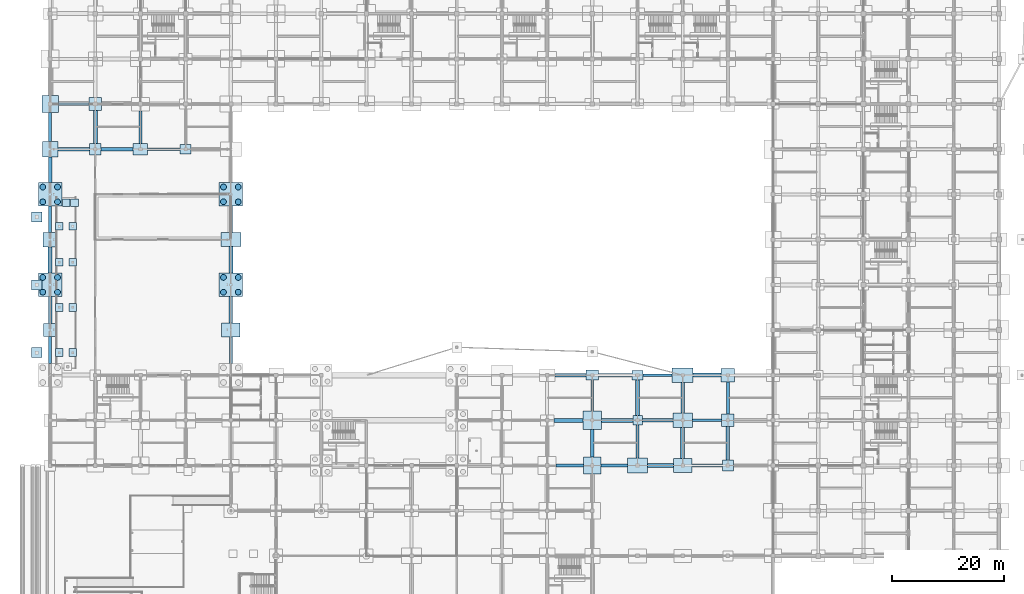
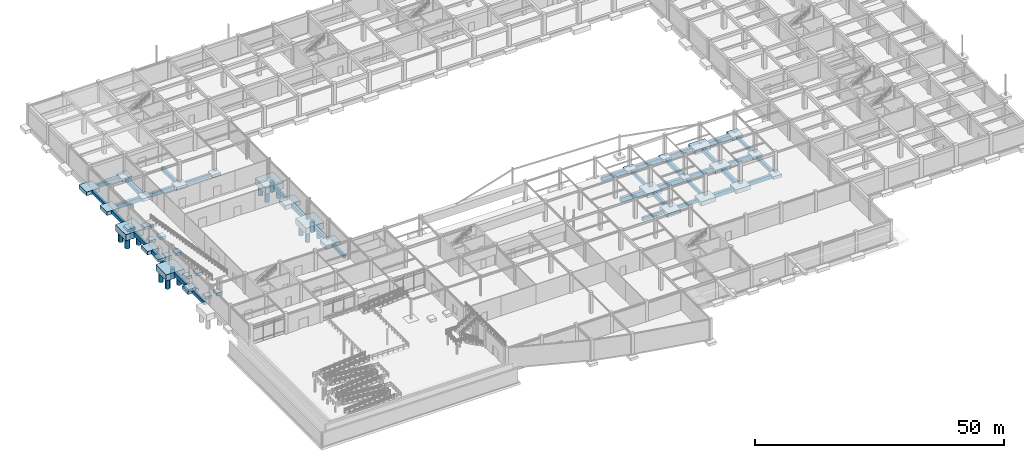
# One storey, part 4 of 67: 75 footings, 16 piles.
"""IFC4 building model written with IfcOpenShell, lengths in metres."""

from ifc_helpers import new_model, si_unit, direction, frame, origin, origin_2d, place, context, subcontext, project, spatial, rectangle, circle, extrude, material, material_profile, profile_set, type_object, element, save


model = new_model("IFC4")

# Units and contexts
model_context = context("Model", 3, precision=1e-05, world=origin(), true_north=direction((0.0, 1.0)))
body_context = subcontext(model_context, "Body", "Model", "MODEL_VIEW")
ifc_project = project(units=[si_unit("LENGTHUNIT", "METRE"), si_unit("AREAUNIT", "SQUARE_METRE"), si_unit("VOLUMEUNIT", "CUBIC_METRE"), si_unit("PLANEANGLEUNIT", "RADIAN"), si_unit("MASSUNIT", "GRAM", prefix="KILO")], contexts=[model_context])

# Site, building, storey
site_placement = place(None, origin())
site = spatial("IfcSite", under=ifc_project, at=site_placement, CompositionType="ELEMENT")
building_placement = place(site_placement, origin())
building = spatial("IfcBuilding", under=site, at=building_placement, Name="Vaudrelin Polytechnic", CompositionType="ELEMENT")
storey_placement = place(building_placement, frame((0.0, 0.0, -5.10009765625)))
storey = spatial("IfcBuildingStorey", under=building, at=storey_placement, Name="B1", CompositionType="ELEMENT", Elevation=-5.10009765625)

# Footings
ifc_material = material(Name="Concrete 40 MPa", Category="concrete")
footing_type_1 = type_object("IfcFootingType", Name="FTG-GB-01", PredefinedType="FOOTING_BEAM", material=ifc_material)
footing_1_placement = place(storey_placement, frame((0.0, 53.10009765625, -1.2998046875), z_axis=(0.0, 0.0, 1.0), x_axis=(1.0, 0.0, 0.0)))
element("IfcFooting", 1, at=footing_1_placement, inside=storey, type_object=footing_type_1, Name="Ground tie beam GB-0006", PredefinedType="FOOTING_BEAM", context=body_context, shape_type="SweptSolid", body=[
    extrude(rectangle(XDim=0.5, YDim=4.800048828125, at=origin_2d()), origin(), (0.0, 0.0, 1.0), 0.800048828125),
])
footing_2_placement = place(storey_placement, frame((0.0, 76.550048828125, -1.2998046875), z_axis=(0.0, 0.0, 1.0), x_axis=(1.0, 0.0, 0.0)))
element("IfcFooting", 2, at=footing_2_placement, inside=storey, type_object=footing_type_1, Name="Ground tie beam GB-0009", PredefinedType="FOOTING_BEAM", context=body_context, shape_type="SweptSolid", body=[
    extrude(rectangle(XDim=0.5, YDim=4.699951171875, at=origin_2d()), origin(), (0.0, 0.0, 1.0), 0.800048828125),
])
footing_3_placement = place(storey_placement, frame((0.0, 93.10009765625, -1.2998046875), z_axis=(0.0, 0.0, 1.0), x_axis=(1.0, 0.0, 0.0)))
element("IfcFooting", 3, at=footing_3_placement, inside=storey, type_object=footing_type_1, Name="Ground tie beam GB-0012", PredefinedType="FOOTING_BEAM", context=body_context, shape_type="SweptSolid", body=[
    extrude(rectangle(XDim=0.5, YDim=5.199951171875, at=origin_2d()), origin(), (0.0, 0.0, 1.0), 0.800048828125),
])
footing_4_placement = place(storey_placement, frame((20.41259765625, 89.10009765625, -1.2998046875), z_axis=(0.0, 0.0, 1.0), x_axis=(1.0, 0.0, 0.0)))
element("IfcFooting", 4, at=footing_4_placement, inside=storey, type_object=footing_type_1, Name="Ground tie beam GB-0039", PredefinedType="FOOTING_BEAM", context=body_context, shape_type="SweptSolid", body=[
    extrude(rectangle(XDim=5.824951171875, YDim=0.5, at=origin_2d()), origin(), (0.0, 0.0, 1.0), 0.800048828125),
])
footing_5_placement = place(storey_placement, frame((32.39990234375, 53.08740234375, -1.25), z_axis=(0.0, 0.0, 1.0), x_axis=(1.0, 0.0, 0.0)))
element("IfcFooting", 5, at=footing_5_placement, inside=storey, type_object=footing_type_1, Name="Ground tie beam GB-0069", PredefinedType="FOOTING_BEAM", context=body_context, shape_type="SweptSolid", body=[
    extrude(rectangle(XDim=0.5, YDim=4.77490234375, at=origin_2d()), origin(), (0.0, 0.0, 1.0), 0.800048828125),
])
footing_6_placement = place(storey_placement, frame((32.39990234375, 76.53759765625, -1.25), z_axis=(0.0, 0.0, 1.0), x_axis=(1.0, 0.0, 0.0)))
element("IfcFooting", 6, at=footing_6_placement, inside=storey, type_object=footing_type_1, Name="Ground tie beam GB-0072", PredefinedType="FOOTING_BEAM", context=body_context, shape_type="SweptSolid", body=[
    extrude(rectangle(XDim=0.5, YDim=4.72509765625, at=origin_2d()), origin(), (0.0, 0.0, 1.0), 0.800048828125),
])
footing_7_placement = place(storey_placement, frame((93.175048828125, 32.39990234375, -1.25), z_axis=(0.0, 0.0, 1.0), x_axis=(1.0, 0.0, 0.0)))
element("IfcFooting", 7, at=footing_7_placement, inside=storey, type_object=footing_type_1, Name="Ground tie beam GB-0183", PredefinedType="FOOTING_BEAM", context=body_context, shape_type="SweptSolid", body=[
    extrude(rectangle(XDim=4.949951171875, YDim=0.5, at=origin_2d()), origin(), (0.0, 0.0, 1.0), 0.800048828125),
])
footing_8_placement = place(storey_placement, frame((101.14990234375, 32.39990234375, -1.25), z_axis=(0.0, 0.0, 1.0), x_axis=(1.0, 0.0, 0.0)))
element("IfcFooting", 8, at=footing_8_placement, inside=storey, type_object=footing_type_1, Name="Ground tie beam GB-0201", PredefinedType="FOOTING_BEAM", context=body_context, shape_type="SweptSolid", body=[
    extrude(rectangle(XDim=4.800048828125, YDim=0.5, at=origin_2d()), origin(), (0.0, 0.0, 1.0), 0.800048828125),
])
footing_9_placement = place(storey_placement, frame((97.199951171875, 44.925048828125, -1.25), z_axis=(0.0, 0.0, 1.0), x_axis=(1.0, 0.0, 0.0)))
element("IfcFooting", 9, at=footing_9_placement, inside=storey, type_object=footing_type_1, Name="Ground tie beam GB-0204", PredefinedType="FOOTING_BEAM", context=body_context, shape_type="SweptSolid", body=[
    extrude(rectangle(XDim=0.5, YDim=5.550048828125, at=origin_2d()), origin(), (0.0, 0.0, 1.0), 0.800048828125),
])
footing_10_placement = place(storey_placement, frame((105.300048828125, 36.699951171875, -1.25), z_axis=(0.0, 0.0, 1.0), x_axis=(1.0, 0.0, 0.0)))
element("IfcFooting", 10, at=footing_10_placement, inside=storey, type_object=footing_type_1, Name="Ground tie beam GB-0216", PredefinedType="FOOTING_BEAM", context=body_context, shape_type="SweptSolid", body=[
    extrude(rectangle(XDim=0.5, YDim=5.89990234375, at=origin_2d()), origin(), (0.0, 0.0, 1.0), 0.800048828125),
])
footing_11_placement = place(storey_placement, frame((108.89990234375, 48.60009765625, -1.25), z_axis=(0.0, 0.0, 1.0), x_axis=(1.0, 0.0, 0.0)))
element("IfcFooting", 11, at=footing_11_placement, inside=storey, type_object=footing_type_1, Name="Ground tie beam GB-0219", PredefinedType="FOOTING_BEAM", context=body_context, shape_type="SweptSolid", body=[
    extrude(rectangle(XDim=5.25, YDim=0.5, at=origin_2d()), origin(), (0.0, 0.0, 1.0), 0.800048828125),
])
footing_12_placement = place(storey_placement, frame((117.78759765625, 40.5, -1.25), z_axis=(0.0, 0.0, 1.0), x_axis=(1.0, 0.0, 0.0)))
element("IfcFooting", 12, at=footing_12_placement, inside=storey, type_object=footing_type_1, Name="Ground tie beam GB-0231", PredefinedType="FOOTING_BEAM", context=body_context, shape_type="SweptSolid", body=[
    extrude(rectangle(XDim=5.22509765625, YDim=0.5, at=origin_2d()), origin(), (0.0, 0.0, 1.0), 0.800048828125),
])
footing_13_placement = place(storey_placement, frame((121.5, 44.5, -1.25), z_axis=(0.0, 0.0, 1.0), x_axis=(1.0, 0.0, 0.0)))
element("IfcFooting", 13, at=footing_13_placement, inside=storey, type_object=footing_type_1, Name="Ground tie beam GB-0246", PredefinedType="FOOTING_BEAM", context=body_context, shape_type="SweptSolid", body=[
    extrude(rectangle(XDim=0.5, YDim=5.800048828125, at=origin_2d()), origin(), (0.0, 0.0, 1.0), 0.800048828125),
])
footing_type_2 = type_object("IfcFootingType", Name="FTG-GB-02", PredefinedType="FOOTING_BEAM", material=ifc_material)
footing_14_placement = place(storey_placement, frame((0.0, 60.300048828125, -1.39990234375), z_axis=(0.0, 0.0, 1.0), x_axis=(1.0, 0.0, 0.0)))
element("IfcFooting", 14, at=footing_14_placement, inside=storey, type_object=footing_type_2, Name="Ground tie beam GB-0007", PredefinedType="FOOTING_BEAM", context=body_context, shape_type="SweptSolid", body=[
    extrude(rectangle(XDim=0.60009765625, YDim=4.800048828125, at=origin_2d()), origin(), (0.0, 0.0, 1.0), 0.89990234375),
])
footing_15_placement = place(storey_placement, frame((0.0, 85.39990234375, -1.39990234375), z_axis=(0.0, 0.0, 1.0), x_axis=(1.0, 0.0, 0.0)))
element("IfcFooting", 15, at=footing_15_placement, inside=storey, type_object=footing_type_2, Name="Ground tie beam GB-0010", PredefinedType="FOOTING_BEAM", context=body_context, shape_type="SweptSolid", body=[
    extrude(rectangle(XDim=0.60009765625, YDim=4.60009765625, at=origin_2d()), origin(), (0.0, 0.0, 1.0), 0.89990234375),
])
footing_16_placement = place(storey_placement, frame((4.22509765625, 97.199951171875, -1.349853515625), z_axis=(0.0, 0.0, 1.0), x_axis=(1.0, 0.0, 0.0)))
element("IfcFooting", 16, at=footing_16_placement, inside=storey, type_object=footing_type_2, Name="Ground tie beam GB-0013", PredefinedType="FOOTING_BEAM", context=body_context, shape_type="SweptSolid", body=[
    extrude(rectangle(XDim=5.449951171875, YDim=0.60009765625, at=origin_2d()), origin(), (0.0, 0.0, 1.0), 0.89990234375),
])
footing_17_placement = place(storey_placement, frame((12.02490234375, 89.10009765625, -1.39990234375), z_axis=(0.0, 0.0, 1.0), x_axis=(1.0, 0.0, 0.0)))
element("IfcFooting", 17, at=footing_17_placement, inside=storey, type_object=footing_type_2, Name="Ground tie beam GB-0025", PredefinedType="FOOTING_BEAM", context=body_context, shape_type="SweptSolid", body=[
    extrude(rectangle(XDim=5.75, YDim=0.60009765625, at=origin_2d()), origin(), (0.0, 0.0, 1.0), 0.89990234375),
])
footing_18_placement = place(storey_placement, frame((16.199951171875, 93.050048828125, -1.39990234375), z_axis=(0.0, 0.0, 1.0), x_axis=(1.0, 0.0, 0.0)))
element("IfcFooting", 18, at=footing_18_placement, inside=storey, type_object=footing_type_2, Name="Ground tie beam GB-0040", PredefinedType="FOOTING_BEAM", context=body_context, shape_type="SweptSolid", body=[
    extrude(rectangle(XDim=0.60009765625, YDim=5.89990234375, at=origin_2d()), origin(), (0.0, 0.0, 1.0), 0.89990234375),
])
footing_19_placement = place(storey_placement, frame((32.39990234375, 60.3125, -1.349853515625), z_axis=(0.0, 0.0, 1.0), x_axis=(1.0, 0.0, 0.0)))
element("IfcFooting", 19, at=footing_19_placement, inside=storey, type_object=footing_type_2, Name="Ground tie beam GB-0070", PredefinedType="FOOTING_BEAM", context=body_context, shape_type="SweptSolid", body=[
    extrude(rectangle(XDim=0.60009765625, YDim=4.77490234375, at=origin_2d()), origin(), (0.0, 0.0, 1.0), 0.89990234375),
])
footing_20_placement = place(storey_placement, frame((93.300048828125, 48.60009765625, -1.349853515625), z_axis=(0.0, 0.0, 1.0), x_axis=(1.0, 0.0, 0.0)))
element("IfcFooting", 20, at=footing_20_placement, inside=storey, type_object=footing_type_2, Name="Ground tie beam GB-0187", PredefinedType="FOOTING_BEAM", context=body_context, shape_type="SweptSolid", body=[
    extrude(rectangle(XDim=5.60009765625, YDim=0.60009765625, at=origin_2d()), origin(), (0.0, 0.0, 1.0), 0.89990234375),
])
footing_21_placement = place(storey_placement, frame((97.199951171875, 36.39990234375, -1.349853515625), z_axis=(0.0, 0.0, 1.0), x_axis=(1.0, 0.0, 0.0)))
element("IfcFooting", 21, at=footing_21_placement, inside=storey, type_object=footing_type_2, Name="Ground tie beam GB-0202", PredefinedType="FOOTING_BEAM", context=body_context, shape_type="SweptSolid", body=[
    extrude(rectangle(XDim=0.60009765625, YDim=4.89990234375, at=origin_2d()), origin(), (0.0, 0.0, 1.0), 0.89990234375),
])
footing_22_placement = place(storey_placement, frame((101.3125, 48.60009765625, -1.349853515625), z_axis=(0.0, 0.0, 1.0), x_axis=(1.0, 0.0, 0.0)))
element("IfcFooting", 22, at=footing_22_placement, inside=storey, type_object=footing_type_2, Name="Ground tie beam GB-0205", PredefinedType="FOOTING_BEAM", context=body_context, shape_type="SweptSolid", body=[
    extrude(rectangle(XDim=6.02490234375, YDim=0.60009765625, at=origin_2d()), origin(), (0.0, 0.0, 1.0), 0.89990234375),
])
footing_23_placement = place(storey_placement, frame((108.887451171875, 40.5, -1.349853515625), z_axis=(0.0, 0.0, 1.0), x_axis=(1.0, 0.0, 0.0)))
element("IfcFooting", 23, at=footing_23_placement, inside=storey, type_object=footing_type_2, Name="Ground tie beam GB-0217", PredefinedType="FOOTING_BEAM", context=body_context, shape_type="SweptSolid", body=[
    extrude(rectangle(XDim=5.47509765625, YDim=0.60009765625, at=origin_2d()), origin(), (0.0, 0.0, 1.0), 0.89990234375),
])
footing_24_placement = place(storey_placement, frame((117.78759765625, 32.39990234375, -1.349853515625), z_axis=(0.0, 0.0, 1.0), x_axis=(1.0, 0.0, 0.0)))
element("IfcFooting", 24, at=footing_24_placement, inside=storey, type_object=footing_type_2, Name="Ground tie beam GB-0229", PredefinedType="FOOTING_BEAM", context=body_context, shape_type="SweptSolid", body=[
    extrude(rectangle(XDim=5.425048828125, YDim=0.60009765625, at=origin_2d()), origin(), (0.0, 0.0, 1.0), 0.89990234375),
])
footing_25_placement = place(storey_placement, frame((113.39990234375, 44.52490234375, -1.349853515625), z_axis=(0.0, 0.0, 1.0), x_axis=(1.0, 0.0, 0.0)))
element("IfcFooting", 25, at=footing_25_placement, inside=storey, type_object=footing_type_2, Name="Ground tie beam GB-0232", PredefinedType="FOOTING_BEAM", context=body_context, shape_type="SweptSolid", body=[
    extrude(rectangle(XDim=0.60009765625, YDim=5.5, at=origin_2d()), origin(), (0.0, 0.0, 1.0), 0.89990234375),
])
footing_26_placement = place(storey_placement, frame((121.5, 36.39990234375, -1.349853515625), z_axis=(0.0, 0.0, 1.0), x_axis=(1.0, 0.0, 0.0)))
element("IfcFooting", 26, at=footing_26_placement, inside=storey, type_object=footing_type_2, Name="Ground tie beam GB-0244", PredefinedType="FOOTING_BEAM", context=body_context, shape_type="SweptSolid", body=[
    extrude(rectangle(XDim=0.60009765625, YDim=6.0, at=origin_2d()), origin(), (0.0, 0.0, 1.0), 0.89990234375),
])
footing_type_3 = type_object("IfcFootingType", Name="FTG-GB-03", PredefinedType="FOOTING_BEAM", material=ifc_material)
footing_27_placement = place(storey_placement, frame((0.0, 69.25, -1.5), z_axis=(0.0, 0.0, 1.0), x_axis=(1.0, 0.0, 0.0)))
element("IfcFooting", 27, at=footing_27_placement, inside=storey, type_object=footing_type_3, Name="Ground tie beam GB-0008", PredefinedType="FOOTING_BEAM", context=body_context, shape_type="SweptSolid", body=[
    extrude(rectangle(XDim=0.699951171875, YDim=4.699951171875, at=origin_2d()), origin(), (0.0, 0.0, 1.0), 1.0),
])
footing_28_placement = place(storey_placement, frame((4.22509765625, 89.10009765625, -1.5), z_axis=(0.0, 0.0, 1.0), x_axis=(1.0, 0.0, 0.0)))
element("IfcFooting", 28, at=footing_28_placement, inside=storey, type_object=footing_type_3, Name="Ground tie beam GB-0011", PredefinedType="FOOTING_BEAM", context=body_context, shape_type="SweptSolid", body=[
    extrude(rectangle(XDim=5.64990234375, YDim=0.699951171875, at=origin_2d()), origin(), (0.0, 0.0, 1.0), 1.0),
])
footing_29_placement = place(storey_placement, frame((8.10009765625, 93.10009765625, -1.5), z_axis=(0.0, 0.0, 1.0), x_axis=(1.0, 0.0, 0.0)))
element("IfcFooting", 29, at=footing_29_placement, inside=storey, type_object=footing_type_3, Name="Ground tie beam GB-0026", PredefinedType="FOOTING_BEAM", context=body_context, shape_type="SweptSolid", body=[
    extrude(rectangle(XDim=0.699951171875, YDim=5.89990234375, at=origin_2d()), origin(), (0.0, 0.0, 1.0), 1.0),
])
footing_30_placement = place(storey_placement, frame((32.39990234375, 69.262451171875, -1.449951171875), z_axis=(0.0, 0.0, 1.0), x_axis=(1.0, 0.0, 0.0)))
element("IfcFooting", 30, at=footing_30_placement, inside=storey, type_object=footing_type_3, Name="Ground tie beam GB-0071", PredefinedType="FOOTING_BEAM", context=body_context, shape_type="SweptSolid", body=[
    extrude(rectangle(XDim=0.699951171875, YDim=4.72509765625, at=origin_2d()), origin(), (0.0, 0.0, 1.0), 1.0),
])
footing_31_placement = place(storey_placement, frame((92.925048828125, 40.5, -1.449951171875), z_axis=(0.0, 0.0, 1.0), x_axis=(1.0, 0.0, 0.0)))
element("IfcFooting", 31, at=footing_31_placement, inside=storey, type_object=footing_type_3, Name="Ground tie beam GB-0185", PredefinedType="FOOTING_BEAM", context=body_context, shape_type="SweptSolid", body=[
    extrude(rectangle(XDim=5.25, YDim=0.699951171875, at=origin_2d()), origin(), (0.0, 0.0, 1.0), 1.0),
])
footing_32_placement = place(storey_placement, frame((101.64990234375, 40.5, -1.449951171875), z_axis=(0.0, 0.0, 1.0), x_axis=(1.0, 0.0, 0.0)))
element("IfcFooting", 32, at=footing_32_placement, inside=storey, type_object=footing_type_3, Name="Ground tie beam GB-0203", PredefinedType="FOOTING_BEAM", context=body_context, shape_type="SweptSolid", body=[
    extrude(rectangle(XDim=5.60009765625, YDim=0.699951171875, at=origin_2d()), origin(), (0.0, 0.0, 1.0), 1.0),
])
footing_33_placement = place(storey_placement, frame((109.387451171875, 32.39990234375, -1.449951171875), z_axis=(0.0, 0.0, 1.0), x_axis=(1.0, 0.0, 0.0)))
element("IfcFooting", 33, at=footing_33_placement, inside=storey, type_object=footing_type_3, Name="Ground tie beam GB-0215", PredefinedType="FOOTING_BEAM", context=body_context, shape_type="SweptSolid", body=[
    extrude(rectangle(XDim=4.675048828125, YDim=0.699951171875, at=origin_2d()), origin(), (0.0, 0.0, 1.0), 1.0),
])
footing_34_placement = place(storey_placement, frame((105.300048828125, 44.53759765625, -1.449951171875), z_axis=(0.0, 0.0, 1.0), x_axis=(1.0, 0.0, 0.0)))
element("IfcFooting", 34, at=footing_34_placement, inside=storey, type_object=footing_type_3, Name="Ground tie beam GB-0218", PredefinedType="FOOTING_BEAM", context=body_context, shape_type="SweptSolid", body=[
    extrude(rectangle(XDim=0.699951171875, YDim=6.375, at=origin_2d()), origin(), (0.0, 0.0, 1.0), 1.0),
])
footing_35_placement = place(storey_placement, frame((113.39990234375, 36.425048828125, -1.449951171875), z_axis=(0.0, 0.0, 1.0), x_axis=(1.0, 0.0, 0.0)))
element("IfcFooting", 35, at=footing_35_placement, inside=storey, type_object=footing_type_3, Name="Ground tie beam GB-0230", PredefinedType="FOOTING_BEAM", context=body_context, shape_type="SweptSolid", body=[
    extrude(rectangle(XDim=0.699951171875, YDim=5.60009765625, at=origin_2d()), origin(), (0.0, 0.0, 1.0), 1.0),
])
footing_36_placement = place(storey_placement, frame((117.78759765625, 48.60009765625, -1.449951171875), z_axis=(0.0, 0.0, 1.0), x_axis=(1.0, 0.0, 0.0)))
element("IfcFooting", 36, at=footing_36_placement, inside=storey, type_object=footing_type_3, Name="Ground tie beam GB-0233", PredefinedType="FOOTING_BEAM", context=body_context, shape_type="SweptSolid", body=[
    extrude(rectangle(XDim=5.02490234375, YDim=0.699951171875, at=origin_2d()), origin(), (0.0, 0.0, 1.0), 1.0),
])
footing_type_4 = type_object("IfcFootingType", Name="FTG-PC-03", PredefinedType="PILE_CAP", material=ifc_material)
for number, where, z_axis, x_axis, name in (
    (37, (0.0, 64.800048828125, -2.0), (0.0, 0.0, 1.0), (1.0, 0.0, 0.0), "Pile cap CAP-02"),
    (38, (0.0, 81.0, -2.0), (0.0, 0.0, 1.0), (1.0, 0.0, 0.0), "Pile cap CAP-03"),
    (39, (32.39990234375, 64.800048828125, -1.949951171875), (0.0, 0.0, 1.0), (1.0, 0.0, 0.0), "Pile cap CAP-05"),
    (40, (32.39990234375, 81.0, -1.949951171875), (0.0, 0.0, 1.0), (1.0, 0.0, 0.0), "Pile cap CAP-06"),
):
    element("IfcFooting", number, at=place(storey_placement, frame(where, z_axis=z_axis, x_axis=x_axis)), inside=storey, type_object=footing_type_4, Name=name, PredefinedType="PILE_CAP", context=body_context, shape_type="SweptSolid", body=[
        extrude(rectangle(XDim=4.199951171875, YDim=4.199951171875, at=origin_2d()), origin(), (0.0, 0.0, 1.0), 1.5),
    ])
footing_type_5 = type_object("IfcFootingType", Name="FTG-PF-01", PredefinedType="PAD_FOOTING", material=ifc_material)
for number, where, z_axis, x_axis, name in (
    (41, (-2.39990234375, 52.64990234375, 2.275146484375), (0.0, 0.0, 1.0), (1.0, 0.0, 0.0), "Workshop street V-strut pedestal footing 6"),
    (42, (-2.39990234375, 64.800048828125, 2.275146484375), (0.0, 0.0, 1.0), (1.0, 0.0, 0.0), "Workshop street V-strut pedestal footing 8"),
    (43, (-2.39990234375, 76.949951171875, 2.275146484375), (0.0, 0.0, 1.0), (1.0, 0.0, 0.0), "Workshop street V-strut pedestal footing 10"),
):
    element("IfcFooting", number, at=place(storey_placement, frame(where, z_axis=z_axis, x_axis=x_axis)), inside=storey, type_object=footing_type_5, Name=name, PredefinedType="PAD_FOOTING", context=body_context, shape_type="SweptSolid", body=[
        extrude(rectangle(XDim=1.800048828125, YDim=1.800048828125, at=origin_2d()), origin(), (0.0, 0.0, 1.0), 0.64990234375),
    ])
footing_type_6 = type_object("IfcFootingType", Name="FTG-PF-02", PredefinedType="PAD_FOOTING", material=ifc_material)
footing_37_placement = place(storey_placement, frame((121.5, 32.39990234375, -1.14990234375), z_axis=(0.0, 0.0, 1.0), x_axis=(1.0, 0.0, 0.0)))
element("IfcFooting", 44, at=footing_37_placement, inside=storey, type_object=footing_type_6, Name="Spread footing 15-4", PredefinedType="PAD_FOOTING", context=body_context, shape_type="SweptSolid", body=[
    extrude(rectangle(XDim=2.0, YDim=2.0, at=origin_2d()), origin(), (0.0, 0.0, 1.0), 0.699951171875),
])
footing_type_7 = type_object("IfcFootingType", Name="FTG-PF-03", PredefinedType="PAD_FOOTING", material=ifc_material)
footing_38_placement = place(storey_placement, frame((121.5, 40.5, -1.199951171875), z_axis=(0.0, 0.0, 1.0), x_axis=(1.0, 0.0, 0.0)))
element("IfcFooting", 45, at=footing_38_placement, inside=storey, type_object=footing_type_7, Name="Spread footing 15-5", PredefinedType="PAD_FOOTING", context=body_context, shape_type="SweptSolid", body=[
    extrude(rectangle(XDim=2.199951171875, YDim=2.199951171875, at=origin_2d()), origin(), (0.0, 0.0, 1.0), 0.75),
])
footing_type_8 = type_object("IfcFootingType", Name="FTG-PF-04", PredefinedType="PAD_FOOTING", material=ifc_material)
for number, where, z_axis, x_axis, name in (
    (46, (0.0, 56.699951171875, -1.2998046875), (0.0, 0.0, 1.0), (1.0, 0.0, 0.0), "Spread footing 0-7"),
    (47, (121.5, 48.60009765625, -1.25), (0.0, 0.0, 1.0), (1.0, 0.0, 0.0), "Spread footing 15-6"),
):
    element("IfcFooting", number, at=place(storey_placement, frame(where, z_axis=z_axis, x_axis=x_axis)), inside=storey, type_object=footing_type_8, Name=name, PredefinedType="PAD_FOOTING", context=body_context, shape_type="SweptSolid", body=[
        extrude(rectangle(XDim=2.39990234375, YDim=2.39990234375, at=origin_2d()), origin(), (0.0, 0.0, 1.0), 0.800048828125),
    ])
footing_type_9 = type_object("IfcFootingType", Name="FTG-PF-05", PredefinedType="PAD_FOOTING", material=ifc_material)
footing_39_placement = place(storey_placement, frame((0.0, 72.89990234375, -1.349853515625), z_axis=(0.0, 0.0, 1.0), x_axis=(1.0, 0.0, 0.0)))
element("IfcFooting", 48, at=footing_39_placement, inside=storey, type_object=footing_type_9, Name="Spread footing 0-9", PredefinedType="PAD_FOOTING", context=body_context, shape_type="SweptSolid", body=[
    extrude(rectangle(XDim=2.60009765625, YDim=2.60009765625, at=origin_2d()), origin(), (0.0, 0.0, 1.0), 0.85009765625),
])
footing_type_10 = type_object("IfcFootingType", Name="FTG-PF-06", PredefinedType="PAD_FOOTING", material=ifc_material)
footing_40_placement = place(storey_placement, frame((0.0, 89.10009765625, -1.39990234375), z_axis=(0.0, 0.0, 1.0), x_axis=(1.0, 0.0, 0.0)))
element("IfcFooting", 49, at=footing_40_placement, inside=storey, type_object=footing_type_10, Name="Spread footing 0-11", PredefinedType="PAD_FOOTING", context=body_context, shape_type="SweptSolid", body=[
    extrude(rectangle(XDim=2.800048828125, YDim=2.800048828125, at=origin_2d()), origin(), (0.0, 0.0, 1.0), 0.89990234375),
])
footing_type_11 = type_object("IfcFootingType", Name="FTG-PF-07", PredefinedType="PAD_FOOTING", material=ifc_material)
footing_41_placement = place(storey_placement, frame((0.0, 97.199951171875, -1.39990234375), z_axis=(0.0, 0.0, 1.0), x_axis=(1.0, 0.0, 0.0)))
element("IfcFooting", 50, at=footing_41_placement, inside=storey, type_object=footing_type_11, Name="Spread footing 0-12", PredefinedType="PAD_FOOTING", context=body_context, shape_type="SweptSolid", body=[
    extrude(rectangle(XDim=3.0, YDim=3.0, at=origin_2d()), origin(), (0.0, 0.0, 1.0), 0.949951171875),
])
footing_type_12 = type_object("IfcFootingType", Name="FTG-PF-14", PredefinedType="PAD_FOOTING", material=ifc_material)
footing_42_placement = place(storey_placement, frame((8.10009765625, 89.10009765625, -1.19970703125), z_axis=(0.0, 0.0, 1.0), x_axis=(1.0, 0.0, 0.0)))
element("IfcFooting", 51, at=footing_42_placement, inside=storey, type_object=footing_type_12, Name="Spread footing 1-11", PredefinedType="PAD_FOOTING", context=body_context, shape_type="SweptSolid", body=[
    extrude(rectangle(XDim=2.10009765625, YDim=2.10009765625, at=origin_2d()), origin(), (0.0, 0.0, 1.0), 0.699951171875),
])
footing_type_13 = type_object("IfcFootingType", Name="FTG-PF-15", PredefinedType="PAD_FOOTING", material=ifc_material)
footing_43_placement = place(storey_placement, frame((8.10009765625, 97.199951171875, -1.199951171875), z_axis=(0.0, 0.0, 1.0), x_axis=(1.0, 0.0, 0.0)))
element("IfcFooting", 52, at=footing_43_placement, inside=storey, type_object=footing_type_13, Name="Spread footing 1-12", PredefinedType="PAD_FOOTING", context=body_context, shape_type="SweptSolid", body=[
    extrude(rectangle(XDim=2.300048828125, YDim=2.300048828125, at=origin_2d()), origin(), (0.0, 0.0, 1.0), 0.75),
])
footing_type_14 = type_object("IfcFootingType", Name="FTG-PF-19", PredefinedType="PAD_FOOTING", material=ifc_material)
footing_44_placement = place(storey_placement, frame((97.199951171875, 32.39990234375, -1.39990234375), z_axis=(0.0, 0.0, 1.0), x_axis=(1.0, 0.0, 0.0)))
element("IfcFooting", 53, at=footing_44_placement, inside=storey, type_object=footing_type_14, Name="Spread footing 12-4", PredefinedType="PAD_FOOTING", context=body_context, shape_type="SweptSolid", body=[
    extrude(rectangle(XDim=3.10009765625, YDim=3.10009765625, at=origin_2d()), origin(), (0.0, 0.0, 1.0), 0.949951171875),
])
footing_type_15 = type_object("IfcFootingType", Name="FTG-PF-20", PredefinedType="PAD_FOOTING", material=ifc_material)
footing_45_placement = place(storey_placement, frame((97.199951171875, 40.5, -1.5), z_axis=(0.0, 0.0, 1.0), x_axis=(1.0, 0.0, 0.0)))
element("IfcFooting", 54, at=footing_45_placement, inside=storey, type_object=footing_type_15, Name="Spread footing 12-5", PredefinedType="PAD_FOOTING", context=body_context, shape_type="SweptSolid", body=[
    extrude(rectangle(XDim=3.300048828125, YDim=3.300048828125, at=origin_2d()), origin(), (0.0, 0.0, 1.0), 1.050048828125),
])
footing_type_16 = type_object("IfcFootingType", Name="FTG-PF-21", PredefinedType="PAD_FOOTING", material=ifc_material)
footing_46_placement = place(storey_placement, frame((97.199951171875, 48.60009765625, -1.14990234375), z_axis=(0.0, 0.0, 1.0), x_axis=(1.0, 0.0, 0.0)))
element("IfcFooting", 55, at=footing_46_placement, inside=storey, type_object=footing_type_16, Name="Spread footing 12-6", PredefinedType="PAD_FOOTING", context=body_context, shape_type="SweptSolid", body=[
    extrude(rectangle(XDim=2.199951171875, YDim=1.800048828125, at=origin_2d()), origin(), (0.0, 0.0, 1.0), 0.699951171875),
])
footing_type_17 = type_object("IfcFootingType", Name="FTG-PF-22", PredefinedType="PAD_FOOTING", material=ifc_material)
footing_47_placement = place(storey_placement, frame((16.199951171875, 89.10009765625, -1.2998046875), z_axis=(0.0, 0.0, 1.0), x_axis=(1.0, 0.0, 0.0)))
element("IfcFooting", 56, at=footing_47_placement, inside=storey, type_object=footing_type_17, Name="Spread footing 2-11", PredefinedType="PAD_FOOTING", context=body_context, shape_type="SweptSolid", body=[
    extrude(rectangle(XDim=2.60009765625, YDim=2.0, at=origin_2d()), origin(), (0.0, 0.0, 1.0), 0.800048828125),
])
footing_type_18 = type_object("IfcFootingType", Name="FTG-PF-28", PredefinedType="PAD_FOOTING", material=ifc_material)
footing_48_placement = place(storey_placement, frame((105.300048828125, 32.39990234375, -1.5), z_axis=(0.0, 0.0, 1.0), x_axis=(1.0, 0.0, 0.0)))
element("IfcFooting", 57, at=footing_48_placement, inside=storey, type_object=footing_type_18, Name="Spread footing 13-4", PredefinedType="PAD_FOOTING", context=body_context, shape_type="SweptSolid", body=[
    extrude(rectangle(XDim=3.5, YDim=2.699951171875, at=origin_2d()), origin(), (0.0, 0.0, 1.0), 1.050048828125),
])
footing_type_19 = type_object("IfcFootingType", Name="FTG-PF-29", PredefinedType="PAD_FOOTING", material=ifc_material)
footing_49_placement = place(storey_placement, frame((105.300048828125, 40.5, -1.050048828125), z_axis=(0.0, 0.0, 1.0), x_axis=(1.0, 0.0, 0.0)))
element("IfcFooting", 58, at=footing_49_placement, inside=storey, type_object=footing_type_19, Name="Spread footing 13-5", PredefinedType="PAD_FOOTING", context=body_context, shape_type="SweptSolid", body=[
    extrude(rectangle(XDim=1.699951171875, YDim=1.699951171875, at=origin_2d()), origin(), (0.0, 0.0, 1.0), 0.60009765625),
])
footing_type_20 = type_object("IfcFootingType", Name="FTG-PF-30", PredefinedType="PAD_FOOTING", material=ifc_material)
for number, where, z_axis, x_axis, name in (
    (59, (24.300048828125, 89.10009765625, -1.14990234375), (0.0, 0.0, 1.0), (1.0, 0.0, 0.0), "Spread footing 3-11"),
    (60, (105.300048828125, 48.60009765625, -1.099853515625), (0.0, 0.0, 1.0), (1.0, 0.0, 0.0), "Spread footing 13-6"),
):
    element("IfcFooting", number, at=place(storey_placement, frame(where, z_axis=z_axis, x_axis=x_axis)), inside=storey, type_object=footing_type_20, Name=name, PredefinedType="PAD_FOOTING", context=body_context, shape_type="SweptSolid", body=[
        extrude(rectangle(XDim=1.949951171875, YDim=1.75, at=origin_2d()), origin(), (0.0, 0.0, 1.0), 0.64990234375),
    ])
footing_type_21 = type_object("IfcFootingType", Name="FTG-PF-37", PredefinedType="PAD_FOOTING", material=ifc_material)
for number, where, z_axis, x_axis, name in (
    (61, (32.39990234375, 56.699951171875, -1.449951171875), (0.0, 0.0, 1.0), (1.0, 0.0, 0.0), "Spread footing 4-7"),
    (62, (113.39990234375, 32.39990234375, -1.449951171875), (0.0, 0.0, 1.0), (1.0, 0.0, 0.0), "Spread footing 14-4"),
):
    element("IfcFooting", number, at=place(storey_placement, frame(where, z_axis=z_axis, x_axis=x_axis)), inside=storey, type_object=footing_type_21, Name=name, PredefinedType="PAD_FOOTING", context=body_context, shape_type="SweptSolid", body=[
        extrude(rectangle(XDim=3.35009765625, YDim=2.449951171875, at=origin_2d()), origin(), (0.0, 0.0, 1.0), 1.0),
    ])
footing_type_22 = type_object("IfcFootingType", Name="FTG-PF-38", PredefinedType="PAD_FOOTING", material=ifc_material)
for number, where, z_axis, x_axis, name in (
    (63, (32.39990234375, 72.89990234375, -1.5), (0.0, 0.0, 1.0), (1.0, 0.0, 0.0), "Spread footing 4-9"),
    (64, (113.39990234375, 40.5, -1.5), (0.0, 0.0, 1.0), (1.0, 0.0, 0.0), "Spread footing 14-5"),
):
    element("IfcFooting", number, at=place(storey_placement, frame(where, z_axis=z_axis, x_axis=x_axis)), inside=storey, type_object=footing_type_22, Name=name, PredefinedType="PAD_FOOTING", context=body_context, shape_type="SweptSolid", body=[
        extrude(rectangle(XDim=3.550048828125, YDim=2.550048828125, at=origin_2d()), origin(), (0.0, 0.0, 1.0), 1.050048828125),
    ])
footing_type_23 = type_object("IfcFootingType", Name="FTG-PF-39", PredefinedType="PAD_FOOTING", material=ifc_material)
footing_50_placement = place(storey_placement, frame((113.39990234375, 48.60009765625, -1.550048828125), z_axis=(0.0, 0.0, 1.0), x_axis=(1.0, 0.0, 0.0)))
element("IfcFooting", 65, at=footing_50_placement, inside=storey, type_object=footing_type_23, Name="Spread footing 14-6", PredefinedType="PAD_FOOTING", context=body_context, shape_type="SweptSolid", body=[
    extrude(rectangle(XDim=3.75, YDim=2.64990234375, at=origin_2d()), origin(), (0.0, 0.0, 1.0), 1.10009765625),
])
footing_type_24 = type_object("IfcFootingType", Name="FTG-PF-53", PredefinedType="PAD_FOOTING", material=ifc_material)
for number, where, z_axis, x_axis, name in (
    (66, (2.89990234375, 79.52001953125, -0.7978515625), (0.0, 0.0, 1.0), (1.0, 0.0, 0.0), "Vehicle ramp toe pad footing VRMP-TOE-1"),
    (67, (4.35009765625, 79.52001953125, -0.7978515625), (0.0, 0.0, 1.0), (1.0, 0.0, 0.0), "Vehicle ramp toe pad footing VRMP-TOE-2"),
    (68, (1.64990234375, 52.64990234375, -1.14990234375), (0.0, 0.0, 1.0), (1.0, 0.0, 0.0), "Vehicle ramp pier pad footing VRMP-M1W"),
    (69, (4.050048828125, 52.64990234375, -1.14990234375), (0.0, 0.0, 1.0), (1.0, 0.0, 0.0), "Vehicle ramp pier pad footing VRMP-M1E"),
    (70, (1.64990234375, 60.75, -1.14990234375), (0.0, 0.0, 1.0), (1.0, 0.0, 0.0), "Vehicle ramp pier pad footing VRMP-M2W"),
    (71, (4.050048828125, 60.75, -1.14990234375), (0.0, 0.0, 1.0), (1.0, 0.0, 0.0), "Vehicle ramp pier pad footing VRMP-M2E"),
    (72, (1.64990234375, 68.85009765625, -1.14990234375), (0.0, 0.0, 1.0), (1.0, 0.0, 0.0), "Vehicle ramp pier pad footing VRMP-M3W"),
    (73, (4.050048828125, 68.85009765625, -1.14990234375), (0.0, 0.0, 1.0), (1.0, 0.0, 0.0), "Vehicle ramp pier pad footing VRMP-M3E"),
    (74, (1.64990234375, 75.300048828125, -1.14990234375), (0.0, 0.0, 1.0), (1.0, 0.0, 0.0), "Vehicle ramp pier pad footing VRMP-M4W"),
    (75, (4.050048828125, 75.300048828125, -1.14990234375), (0.0, 0.0, 1.0), (1.0, 0.0, 0.0), "Vehicle ramp pier pad footing VRMP-M4E"),
):
    element("IfcFooting", number, at=place(storey_placement, frame(where, z_axis=z_axis, x_axis=x_axis)), inside=storey, type_object=footing_type_24, Name=name, PredefinedType="PAD_FOOTING", context=body_context, shape_type="SweptSolid", body=[
        extrude(rectangle(XDim=1.39990234375, YDim=1.39990234375, at=origin_2d()), origin(), (0.0, 0.0, 1.0), 0.64990234375),
    ])

# Piles
ifc_material_profile = material_profile(ifc_material, circle(Radius=0.52490234375, at=origin_2d()), Name="CAISSON1050")
ifc_profile_set = profile_set([ifc_material_profile], Name="Concrete 40 MPa")
pile_type = type_object("IfcPileType", Name="PILE-CA-02", PredefinedType="BORED", material=ifc_profile_set)
for number, where, z_axis, x_axis, name in (
    (76, (-1.324951171875, 63.47509765625, -2.0), (0.0, 0.0, -1.0), (1.0, 0.0, 0.0), "Rock-socketed caisson P-005"),
    (77, (-1.324951171875, 66.125, -2.0), (0.0, 0.0, -1.0), (1.0, 0.0, 0.0), "Rock-socketed caisson P-006"),
    (78, (1.324951171875, 63.47509765625, -2.0), (0.0, 0.0, -1.0), (1.0, 0.0, 0.0), "Rock-socketed caisson P-007"),
    (79, (1.324951171875, 66.125, -2.0), (0.0, 0.0, -1.0), (1.0, 0.0, 0.0), "Rock-socketed caisson P-008"),
    (80, (-1.324951171875, 79.675048828125, -2.0), (0.0, 0.0, -1.0), (1.0, 0.0, 0.0), "Rock-socketed caisson P-009"),
    (81, (-1.324951171875, 82.324951171875, -2.0), (0.0, 0.0, -1.0), (1.0, 0.0, 0.0), "Rock-socketed caisson P-010"),
    (82, (1.324951171875, 79.675048828125, -2.0), (0.0, 0.0, -1.0), (1.0, 0.0, 0.0), "Rock-socketed caisson P-011"),
    (83, (1.324951171875, 82.324951171875, -2.0), (0.0, 0.0, -1.0), (1.0, 0.0, 0.0), "Rock-socketed caisson P-012"),
    (84, (31.074951171875, 63.47509765625, -1.949951171875), (0.0, 0.0, -1.0), (1.0, 0.0, 0.0), "Rock-socketed caisson P-017"),
    (85, (31.074951171875, 66.125, -1.949951171875), (0.0, 0.0, -1.0), (1.0, 0.0, 0.0), "Rock-socketed caisson P-018"),
    (86, (33.72509765625, 63.47509765625, -1.949951171875), (0.0, 0.0, -1.0), (1.0, 0.0, 0.0), "Rock-socketed caisson P-019"),
    (87, (33.72509765625, 66.125, -1.949951171875), (0.0, 0.0, -1.0), (1.0, 0.0, 0.0), "Rock-socketed caisson P-020"),
    (88, (31.074951171875, 79.675048828125, -1.949951171875), (0.0, 0.0, -1.0), (1.0, 0.0, 0.0), "Rock-socketed caisson P-021"),
    (89, (31.074951171875, 82.324951171875, -1.949951171875), (0.0, 0.0, -1.0), (1.0, 0.0, 0.0), "Rock-socketed caisson P-022"),
    (90, (33.72509765625, 79.675048828125, -1.949951171875), (0.0, 0.0, -1.0), (1.0, 0.0, 0.0), "Rock-socketed caisson P-023"),
    (91, (33.72509765625, 82.324951171875, -1.949951171875), (0.0, 0.0, -1.0), (1.0, 0.0, 0.0), "Rock-socketed caisson P-024"),
):
    element("IfcPile", number, at=place(storey_placement, frame(where, z_axis=z_axis, x_axis=x_axis)), inside=storey, type_object=pile_type, Name=name, PredefinedType="BORED", context=body_context, shape_type="SweptSolid", body=[
        extrude(circle(Radius=0.52490234375, at=origin_2d()), origin(), (0.0, 0.0, 1.0), 2.39990234375),
    ])

save(model, "model.ifc")
